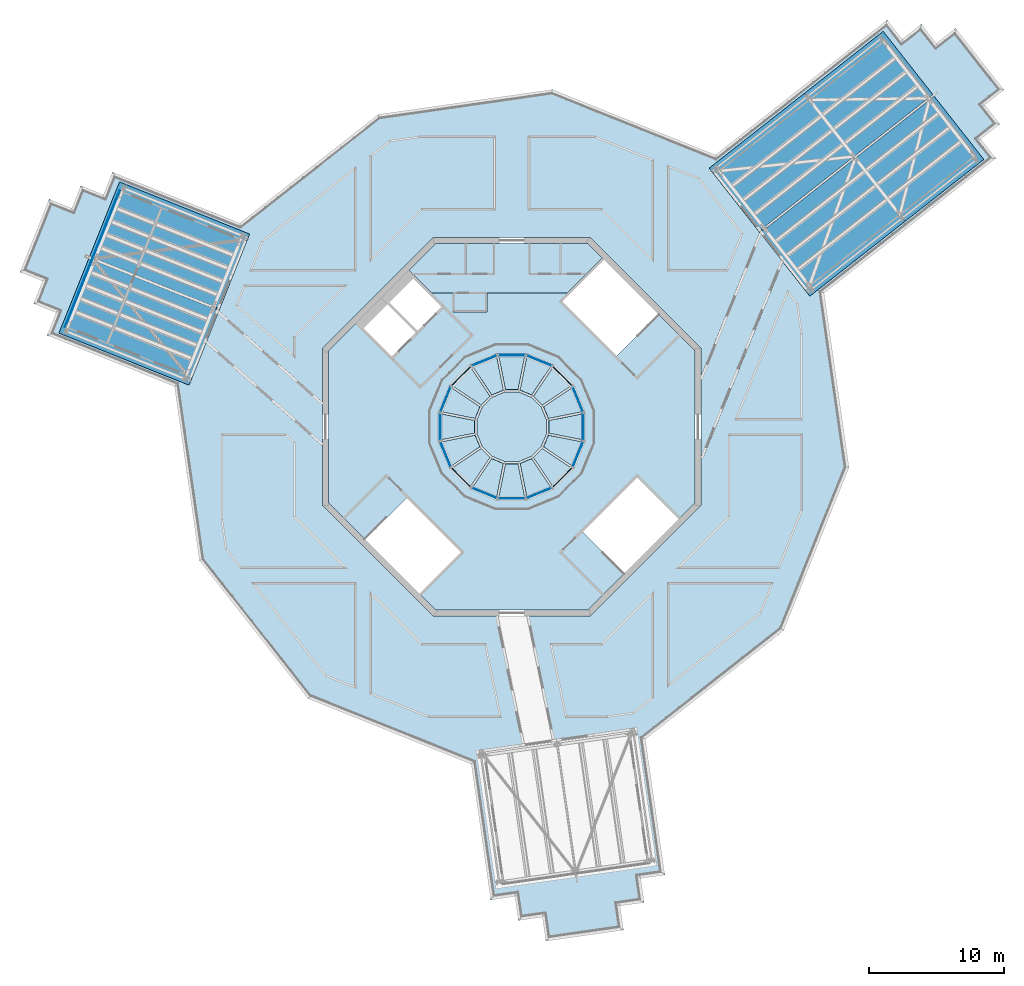
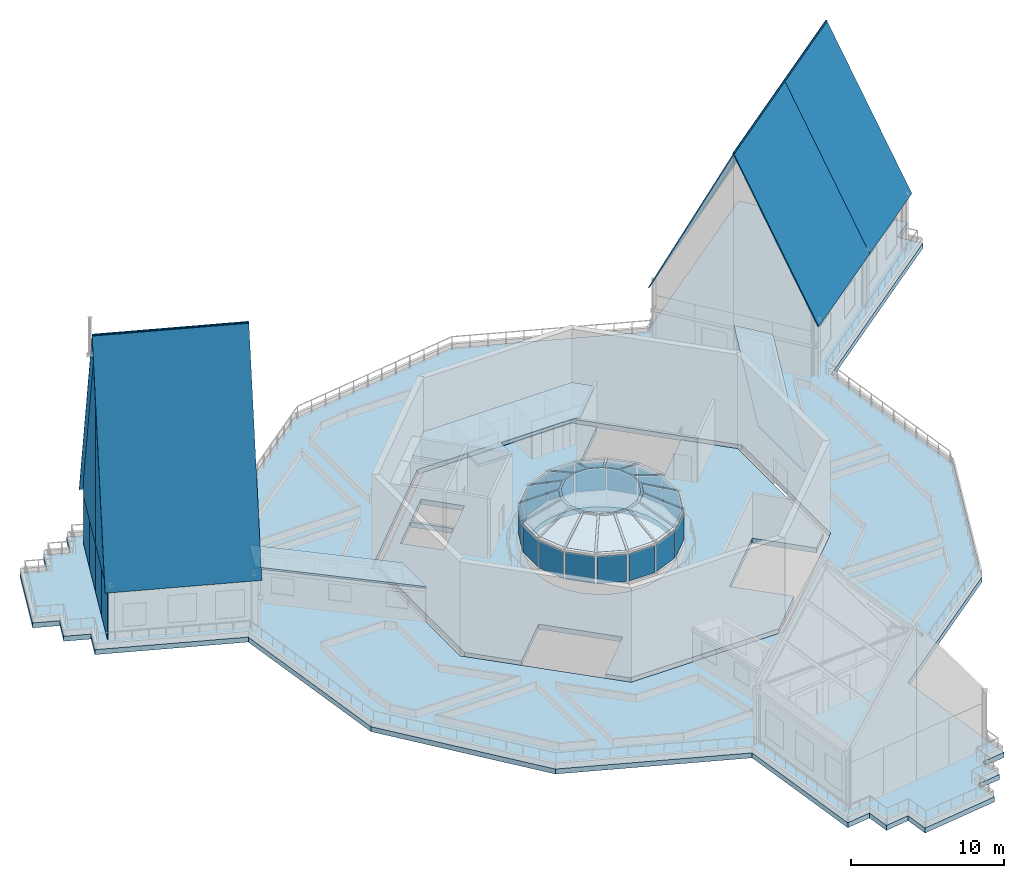
# One storey, part 11 of 32: 39 plates, 11 slabs, 16 elements without a shape of their own.
"""IFC4 building model written with IfcOpenShell, lengths in metres."""

from ifc_helpers import new_model, si_unit, direction, frame, frame_2d, origin, place, context, subcontext, project, spatial, polyline, rectangle, outline, extrude, material, layer, layer_set, type_object, element, aggregate, save


model = new_model("IFC4")

# Units and contexts
model_context = context("Model", 3, precision=1e-05, world=origin(), true_north=direction((0.0, 1.0)))
body_context = subcontext(model_context, "Body", "Model", "MODEL_VIEW")
ifc_project = project(units=[si_unit("LENGTHUNIT", "METRE"), si_unit("AREAUNIT", "SQUARE_METRE"), si_unit("VOLUMEUNIT", "CUBIC_METRE"), si_unit("PLANEANGLEUNIT", "RADIAN"), si_unit("MASSUNIT", "GRAM", prefix="KILO")], contexts=[model_context])

# Site, building, storey
site_placement = place(None, origin())
site = spatial("IfcSite", under=ifc_project, at=site_placement, CompositionType="ELEMENT")
building_placement = place(site_placement, origin())
building = spatial("IfcBuilding", under=site, at=building_placement, Name="Verdalira Terraces Hotel", CompositionType="ELEMENT")
storey_placement = place(building_placement, frame((0.0, 0.0, 315.0)))
storey = spatial("IfcBuildingStorey", under=building, at=storey_placement, Name="L78", CompositionType="ELEMENT", Elevation=315.0)

# Curtain wall, plate
ifc_material_1 = material(Name="Clear laminated glass", Category="glass")
ifc_layer_1 = layer(ifc_material_1, 0.14990234375)
ifc_layer_set_1 = layer_set([ifc_layer_1], Name="Atrium lantern curtain wall")
curtain_wall_type = type_object("IfcCurtainWallType", Name="Atrium lantern curtain wall", PredefinedType="NOTDEFINED", material=ifc_layer_set_1)
curtain_wall_1_placement = place(storey_placement, origin())
curtain_wall_1 = element("IfcCurtainWall", 1, at=curtain_wall_1_placement, inside=storey, type_object=curtain_wall_type, Name="Atrium lantern curtain wall facet 1", PredefinedType="NOTDEFINED")
ifc_material_2 = material(Name="Clear laminated glass", Category="glass")
ifc_layer_2 = layer(ifc_material_2, 0.06005859375)
ifc_layer_set_2 = layer_set([ifc_layer_2], Name="Atrium lantern glazing panel")
plate_type_1 = type_object("IfcPlateType", Name="Atrium lantern glazing panel", PredefinedType="CURTAIN_PANEL", material=ifc_layer_set_2)
plate_1_placement = place(storey_placement, frame((0.0, 0.0, 1.119385)))
plate_1 = element("IfcPlate", 2, at=plate_1_placement, type_object=plate_type_1, Name="Atrium lantern glazing", PredefinedType="CURTAIN_PANEL", context=body_context, shape_type="SweptSolid", body=[
    extrude(outline(polyline([(5.296631, 1.130859), (4.544922, 2.945801), (4.493896, 2.911865), (5.236816, 1.118896), (5.296631, 1.130859)])), origin(), (0.0, 0.0, 1.0), 2.181152),
])

curtain_wall_2_placement = place(storey_placement, origin())
curtain_wall_2 = element("IfcCurtainWall", 3, at=curtain_wall_2_placement, inside=storey, type_object=curtain_wall_type, Name="Atrium lantern curtain wall facet 2", PredefinedType="NOTDEFINED")
plate_2_placement = place(storey_placement, frame((0.0, 0.0, 1.119385)))
plate_2 = element("IfcPlate", 4, at=plate_2_placement, type_object=plate_type_1, Name="Atrium lantern glazing", PredefinedType="CURTAIN_PANEL", context=body_context, shape_type="SweptSolid", body=[
    extrude(outline(polyline([(4.460693, 3.071533), (3.071533, 4.460693), (3.037598, 4.409912), (4.409912, 3.037598), (4.460693, 3.071533)])), origin(), (0.0, 0.0, 1.0), 2.181152),
])

curtain_wall_3_placement = place(storey_placement, origin())
curtain_wall_3 = element("IfcCurtainWall", 5, at=curtain_wall_3_placement, inside=storey, type_object=curtain_wall_type, Name="Atrium lantern curtain wall facet 3", PredefinedType="NOTDEFINED")
plate_3_placement = place(storey_placement, frame((0.0, 0.0, 1.119385)))
plate_3 = element("IfcPlate", 6, at=plate_3_placement, type_object=plate_type_1, Name="Atrium lantern glazing", PredefinedType="CURTAIN_PANEL", context=body_context, shape_type="SweptSolid", body=[
    extrude(outline(polyline([(2.945801, 4.544922), (1.130859, 5.296631), (1.118896, 5.236816), (2.911865, 4.493896), (2.945801, 4.544922)])), origin(), (0.0, 0.0, 1.0), 2.181152),
])

curtain_wall_4_placement = place(storey_placement, origin())
curtain_wall_4 = element("IfcCurtainWall", 7, at=curtain_wall_4_placement, inside=storey, type_object=curtain_wall_type, Name="Atrium lantern curtain wall facet 4", PredefinedType="NOTDEFINED")
plate_4_placement = place(storey_placement, frame((0.0, 0.0, 1.119385)))
plate_4 = element("IfcPlate", 8, at=plate_4_placement, type_object=plate_type_1, Name="Atrium lantern glazing", PredefinedType="CURTAIN_PANEL", context=body_context, shape_type="SweptSolid", body=[
    extrude(outline(polyline([(0.982422, 5.326172), (-0.982422, 5.326172), (-0.970215, 5.266113), (0.970215, 5.266113), (0.982422, 5.326172)])), origin(), (0.0, 0.0, 1.0), 2.181152),
])

curtain_wall_5_placement = place(storey_placement, origin())
curtain_wall_5 = element("IfcCurtainWall", 9, at=curtain_wall_5_placement, inside=storey, type_object=curtain_wall_type, Name="Atrium lantern curtain wall facet 5", PredefinedType="NOTDEFINED")
plate_5_placement = place(storey_placement, frame((0.0, 0.0, 1.119385)))
plate_5 = element("IfcPlate", 10, at=plate_5_placement, type_object=plate_type_1, Name="Atrium lantern glazing", PredefinedType="CURTAIN_PANEL", context=body_context, shape_type="SweptSolid", body=[
    extrude(outline(polyline([(-1.130859, 5.296631), (-2.945801, 4.544922), (-2.911865, 4.493896), (-1.118896, 5.236816), (-1.130859, 5.296631)])), origin(), (0.0, 0.0, 1.0), 2.181152),
])

curtain_wall_6_placement = place(storey_placement, origin())
curtain_wall_6 = element("IfcCurtainWall", 11, at=curtain_wall_6_placement, inside=storey, type_object=curtain_wall_type, Name="Atrium lantern curtain wall facet 6", PredefinedType="NOTDEFINED")
plate_6_placement = place(storey_placement, frame((0.0, 0.0, 1.119385)))
plate_6 = element("IfcPlate", 12, at=plate_6_placement, type_object=plate_type_1, Name="Atrium lantern glazing", PredefinedType="CURTAIN_PANEL", context=body_context, shape_type="SweptSolid", body=[
    extrude(outline(polyline([(-3.071533, 4.460693), (-4.460693, 3.071533), (-4.409912, 3.037598), (-3.037598, 4.409912), (-3.071533, 4.460693)])), origin(), (0.0, 0.0, 1.0), 2.181152),
])

curtain_wall_7_placement = place(storey_placement, origin())
curtain_wall_7 = element("IfcCurtainWall", 13, at=curtain_wall_7_placement, inside=storey, type_object=curtain_wall_type, Name="Atrium lantern curtain wall facet 7", PredefinedType="NOTDEFINED")
plate_7_placement = place(storey_placement, frame((0.0, 0.0, 1.119385)))
plate_7 = element("IfcPlate", 14, at=plate_7_placement, type_object=plate_type_1, Name="Atrium lantern glazing", PredefinedType="CURTAIN_PANEL", context=body_context, shape_type="SweptSolid", body=[
    extrude(outline(polyline([(-4.544922, 2.945801), (-5.296631, 1.130859), (-5.236816, 1.118896), (-4.493896, 2.911865), (-4.544922, 2.945801)])), origin(), (0.0, 0.0, 1.0), 2.181152),
])

curtain_wall_8_placement = place(storey_placement, origin())
curtain_wall_8 = element("IfcCurtainWall", 15, at=curtain_wall_8_placement, inside=storey, type_object=curtain_wall_type, Name="Atrium lantern curtain wall facet 8", PredefinedType="NOTDEFINED")
plate_8_placement = place(storey_placement, frame((0.0, 0.0, 1.119385)))
plate_8 = element("IfcPlate", 16, at=plate_8_placement, type_object=plate_type_1, Name="Atrium lantern glazing", PredefinedType="CURTAIN_PANEL", context=body_context, shape_type="SweptSolid", body=[
    extrude(outline(polyline([(-5.326172, 0.982422), (-5.326172, -0.982422), (-5.266113, -0.970215), (-5.266113, 0.970215), (-5.326172, 0.982422)])), origin(), (0.0, 0.0, 1.0), 2.181152),
])

curtain_wall_9_placement = place(storey_placement, origin())
curtain_wall_9 = element("IfcCurtainWall", 17, at=curtain_wall_9_placement, inside=storey, type_object=curtain_wall_type, Name="Atrium lantern curtain wall facet 9", PredefinedType="NOTDEFINED")
plate_9_placement = place(storey_placement, frame((0.0, 0.0, 1.119385)))
plate_9 = element("IfcPlate", 18, at=plate_9_placement, type_object=plate_type_1, Name="Atrium lantern glazing", PredefinedType="CURTAIN_PANEL", context=body_context, shape_type="SweptSolid", body=[
    extrude(outline(polyline([(-5.296631, -1.130859), (-4.544922, -2.945801), (-4.493896, -2.911865), (-5.236816, -1.118896), (-5.296631, -1.130859)])), origin(), (0.0, 0.0, 1.0), 2.181152),
])

curtain_wall_10_placement = place(storey_placement, origin())
curtain_wall_10 = element("IfcCurtainWall", 19, at=curtain_wall_10_placement, inside=storey, type_object=curtain_wall_type, Name="Atrium lantern curtain wall facet 10", PredefinedType="NOTDEFINED")
plate_10_placement = place(storey_placement, frame((0.0, 0.0, 1.119385)))
plate_10 = element("IfcPlate", 20, at=plate_10_placement, type_object=plate_type_1, Name="Atrium lantern glazing", PredefinedType="CURTAIN_PANEL", context=body_context, shape_type="SweptSolid", body=[
    extrude(outline(polyline([(-4.460693, -3.071533), (-3.071533, -4.460693), (-3.037598, -4.409912), (-4.409912, -3.037598), (-4.460693, -3.071533)])), origin(), (0.0, 0.0, 1.0), 2.181152),
])

curtain_wall_11_placement = place(storey_placement, origin())
curtain_wall_11 = element("IfcCurtainWall", 21, at=curtain_wall_11_placement, inside=storey, type_object=curtain_wall_type, Name="Atrium lantern curtain wall facet 11", PredefinedType="NOTDEFINED")
plate_11_placement = place(storey_placement, frame((0.0, 0.0, 1.119385)))
plate_11 = element("IfcPlate", 22, at=plate_11_placement, type_object=plate_type_1, Name="Atrium lantern glazing", PredefinedType="CURTAIN_PANEL", context=body_context, shape_type="SweptSolid", body=[
    extrude(outline(polyline([(-2.945801, -4.544922), (-1.130859, -5.296631), (-1.118896, -5.236816), (-2.911865, -4.493896), (-2.945801, -4.544922)])), origin(), (0.0, 0.0, 1.0), 2.181152),
])

curtain_wall_12_placement = place(storey_placement, origin())
curtain_wall_12 = element("IfcCurtainWall", 23, at=curtain_wall_12_placement, inside=storey, type_object=curtain_wall_type, Name="Atrium lantern curtain wall facet 12", PredefinedType="NOTDEFINED")
plate_12_placement = place(storey_placement, frame((0.0, 0.0, 1.119385)))
plate_12 = element("IfcPlate", 24, at=plate_12_placement, type_object=plate_type_1, Name="Atrium lantern glazing", PredefinedType="CURTAIN_PANEL", context=body_context, shape_type="SweptSolid", body=[
    extrude(outline(polyline([(-0.982422, -5.326172), (0.982422, -5.326172), (0.970215, -5.266113), (-0.970215, -5.266113), (-0.982422, -5.326172)])), origin(), (0.0, 0.0, 1.0), 2.181152),
])

curtain_wall_13_placement = place(storey_placement, origin())
curtain_wall_13 = element("IfcCurtainWall", 25, at=curtain_wall_13_placement, inside=storey, type_object=curtain_wall_type, Name="Atrium lantern curtain wall facet 13", PredefinedType="NOTDEFINED")
plate_13_placement = place(storey_placement, frame((0.0, 0.0, 1.119385)))
plate_13 = element("IfcPlate", 26, at=plate_13_placement, type_object=plate_type_1, Name="Atrium lantern glazing", PredefinedType="CURTAIN_PANEL", context=body_context, shape_type="SweptSolid", body=[
    extrude(outline(polyline([(1.130859, -5.296631), (2.945801, -4.544922), (2.911865, -4.493896), (1.118896, -5.236816), (1.130859, -5.296631)])), origin(), (0.0, 0.0, 1.0), 2.181152),
])

curtain_wall_14_placement = place(storey_placement, origin())
curtain_wall_14 = element("IfcCurtainWall", 27, at=curtain_wall_14_placement, inside=storey, type_object=curtain_wall_type, Name="Atrium lantern curtain wall facet 14", PredefinedType="NOTDEFINED")
plate_14_placement = place(storey_placement, frame((0.0, 0.0, 1.119385)))
plate_14 = element("IfcPlate", 28, at=plate_14_placement, type_object=plate_type_1, Name="Atrium lantern glazing", PredefinedType="CURTAIN_PANEL", context=body_context, shape_type="SweptSolid", body=[
    extrude(outline(polyline([(3.071533, -4.460693), (4.460693, -3.071533), (4.409912, -3.037598), (3.037598, -4.409912), (3.071533, -4.460693)])), origin(), (0.0, 0.0, 1.0), 2.181152),
])

curtain_wall_15_placement = place(storey_placement, origin())
curtain_wall_15 = element("IfcCurtainWall", 29, at=curtain_wall_15_placement, inside=storey, type_object=curtain_wall_type, Name="Atrium lantern curtain wall facet 15", PredefinedType="NOTDEFINED")
plate_15_placement = place(storey_placement, frame((0.0, 0.0, 1.119385)))
plate_15 = element("IfcPlate", 30, at=plate_15_placement, type_object=plate_type_1, Name="Atrium lantern glazing", PredefinedType="CURTAIN_PANEL", context=body_context, shape_type="SweptSolid", body=[
    extrude(outline(polyline([(4.544922, -2.945801), (5.296631, -1.130859), (5.236816, -1.118896), (4.493896, -2.911865), (4.544922, -2.945801)])), origin(), (0.0, 0.0, 1.0), 2.181152),
])

curtain_wall_16_placement = place(storey_placement, origin())
curtain_wall_16 = element("IfcCurtainWall", 31, at=curtain_wall_16_placement, inside=storey, type_object=curtain_wall_type, Name="Atrium lantern curtain wall facet 16", PredefinedType="NOTDEFINED")
plate_16_placement = place(storey_placement, frame((0.0, 0.0, 1.119385)))
plate_16 = element("IfcPlate", 32, at=plate_16_placement, type_object=plate_type_1, Name="Atrium lantern glazing", PredefinedType="CURTAIN_PANEL", context=body_context, shape_type="SweptSolid", body=[
    extrude(outline(polyline([(5.326172, -0.982422), (5.326172, 0.982422), (5.266113, 0.970215), (5.266113, -0.970215), (5.326172, -0.982422)])), origin(), (0.0, 0.0, 1.0), 2.181152),
])

# Plate
ifc_material_3 = material(Name="Clear laminated glass", Category="glass")
ifc_layer_3 = layer(ifc_material_3, 0.0400390625)
ifc_layer_set_3 = layer_set([ifc_layer_3], Name="Atrium lantern roof glazing panel")
plate_type_2 = type_object("IfcPlateType", Name="Atrium lantern roof glazing panel", PredefinedType="CURTAIN_PANEL", material=ifc_layer_set_3)
plate_17_placement = place(storey_placement, frame((5.222168, 1.119141, 3.589844), z_axis=(0.385088827, 0.159539851, 0.908984945), x_axis=(-0.38275289, 0.923850759, 3.134e-06)))
plate_17 = element("IfcPlate", 33, at=plate_17_placement, type_object=plate_type_2, Name="Atrium lantern roof glazing", PredefinedType="CURTAIN_PANEL", context=body_context, shape_type="SweptSolid", body=[
    extrude(outline(polyline([(0.0, 0.0), (1.928865, 0.0), (1.429359, 2.763952), (0.499952, 2.763973), (0.0, 0.0)])), origin(), (0.0, 0.0, -1.0), 0.040039),
])

plate_18_placement = place(storey_placement, frame((4.39624, 3.032471, 3.589844), z_axis=(0.294748892, 0.294748892, 0.908980848), x_axis=(-0.707106781, 0.707106781, 0.0)))
plate_18 = element("IfcPlate", 34, at=plate_18_placement, type_object=plate_type_2, Name="Atrium lantern roof glazing", PredefinedType="CURTAIN_PANEL", context=body_context, shape_type="SweptSolid", body=[
    extrude(outline(polyline([(0.0, 0.0), (1.928661, 0.0), (1.428887, 2.763903), (0.499774, 2.763903), (0.0, 0.0)])), origin(), (0.0, 0.0, -1.0), 0.040039),
])

aggregate(curtain_wall_2, [plate_2, plate_18])

plate_19_placement = place(storey_placement, frame((2.901123, 4.483887, 3.589844), z_axis=(0.159539851, 0.385088827, 0.908984945), x_axis=(-0.923850759, 0.38275289, -3.134e-06)))
plate_19 = element("IfcPlate", 35, at=plate_19_placement, type_object=plate_type_2, Name="Atrium lantern roof glazing", PredefinedType="CURTAIN_PANEL", context=body_context, shape_type="SweptSolid", body=[
    extrude(outline(polyline([(0.0, 0.0), (1.928865, 0.0), (1.428913, 2.763973), (0.499506, 2.763952), (0.0, 0.0)])), origin(), (0.0, 0.0, -1.0), 0.040039),
])

aggregate(curtain_wall_3, [plate_3, plate_19])

plate_20_placement = place(storey_placement, frame((0.964355, 5.25293, 3.589844), z_axis=(0.0, 0.416821983, 0.908988138), x_axis=(-1.0, 0.0, 0.0)))
plate_20 = element("IfcPlate", 36, at=plate_20_placement, type_object=plate_type_2, Name="Atrium lantern roof glazing", PredefinedType="CURTAIN_PANEL", context=body_context, shape_type="SweptSolid", body=[
    extrude(outline(polyline([(0.0, 0.0), (1.928711, 0.0), (1.428955, 2.764009), (0.499756, 2.764009), (0.0, 0.0)])), origin(), (0.0, 0.0, -1.0), 0.040039),
])

aggregate(curtain_wall_4, [plate_4, plate_20])

plate_21_placement = place(storey_placement, frame((-1.119141, 5.222168, 3.589844), z_axis=(-0.159539851, 0.385088827, 0.908984945), x_axis=(-0.923850759, -0.38275289, 3.134e-06)))
plate_21 = element("IfcPlate", 37, at=plate_21_placement, type_object=plate_type_2, Name="Atrium lantern roof glazing", PredefinedType="CURTAIN_PANEL", context=body_context, shape_type="SweptSolid", body=[
    extrude(outline(polyline([(0.0, 0.0), (1.928865, 0.0), (1.429359, 2.763952), (0.499952, 2.763973), (0.0, 0.0)])), origin(), (0.0, 0.0, -1.0), 0.040039),
])

aggregate(curtain_wall_5, [plate_5, plate_21])

plate_22_placement = place(storey_placement, frame((-3.032471, 4.39624, 3.589844), z_axis=(-0.294748892, 0.294748892, 0.908980848), x_axis=(-0.707106781, -0.707106781, 0.0)))
plate_22 = element("IfcPlate", 38, at=plate_22_placement, type_object=plate_type_2, Name="Atrium lantern roof glazing", PredefinedType="CURTAIN_PANEL", context=body_context, shape_type="SweptSolid", body=[
    extrude(outline(polyline([(0.0, 0.0), (1.928661, 0.0), (1.428887, 2.763903), (0.499774, 2.763903), (0.0, 0.0)])), origin(), (0.0, 0.0, -1.0), 0.040039),
])

aggregate(curtain_wall_6, [plate_6, plate_22])

plate_23_placement = place(storey_placement, frame((-4.483887, 2.901123, 3.589844), z_axis=(-0.385088827, 0.159539851, 0.908984945), x_axis=(-0.38275289, -0.923850759, -3.134e-06)))
plate_23 = element("IfcPlate", 39, at=plate_23_placement, type_object=plate_type_2, Name="Atrium lantern roof glazing", PredefinedType="CURTAIN_PANEL", context=body_context, shape_type="SweptSolid", body=[
    extrude(outline(polyline([(0.0, 0.0), (1.928865, 0.0), (1.428913, 2.763973), (0.499506, 2.763952), (0.0, 0.0)])), origin(), (0.0, 0.0, -1.0), 0.040039),
])

aggregate(curtain_wall_7, [plate_7, plate_23])

plate_24_placement = place(storey_placement, frame((-5.25293, 0.964355, 3.589844), z_axis=(-0.416821983, 0.0, 0.908988138), x_axis=(0.0, -1.0, 0.0)))
plate_24 = element("IfcPlate", 40, at=plate_24_placement, type_object=plate_type_2, Name="Atrium lantern roof glazing", PredefinedType="CURTAIN_PANEL", context=body_context, shape_type="SweptSolid", body=[
    extrude(outline(polyline([(0.0, 0.0), (1.928711, 0.0), (1.428955, 2.764009), (0.499756, 2.764009), (0.0, 0.0)])), origin(), (0.0, 0.0, -1.0), 0.040039),
])

aggregate(curtain_wall_8, [plate_8, plate_24])

plate_25_placement = place(storey_placement, frame((-5.222168, -1.119141, 3.589844), z_axis=(-0.385088827, -0.159539851, 0.908984945), x_axis=(0.38275289, -0.923850759, 3.134e-06)))
plate_25 = element("IfcPlate", 41, at=plate_25_placement, type_object=plate_type_2, Name="Atrium lantern roof glazing", PredefinedType="CURTAIN_PANEL", context=body_context, shape_type="SweptSolid", body=[
    extrude(outline(polyline([(0.0, 0.0), (1.928865, 0.0), (1.429359, 2.763952), (0.499952, 2.763973), (0.0, 0.0)])), origin(), (0.0, 0.0, -1.0), 0.040039),
])

aggregate(curtain_wall_9, [plate_9, plate_25])

plate_26_placement = place(storey_placement, frame((-4.39624, -3.032471, 3.589844), z_axis=(-0.294748892, -0.294748892, 0.908980848), x_axis=(0.707106781, -0.707106781, 0.0)))
plate_26 = element("IfcPlate", 42, at=plate_26_placement, type_object=plate_type_2, Name="Atrium lantern roof glazing", PredefinedType="CURTAIN_PANEL", context=body_context, shape_type="SweptSolid", body=[
    extrude(outline(polyline([(0.0, 0.0), (1.928661, 0.0), (1.428887, 2.763903), (0.499774, 2.763903), (0.0, 0.0)])), origin(), (0.0, 0.0, -1.0), 0.040039),
])

aggregate(curtain_wall_10, [plate_10, plate_26])

plate_27_placement = place(storey_placement, frame((-2.901123, -4.483887, 3.589844), z_axis=(-0.159539851, -0.385088827, 0.908984945), x_axis=(0.923850759, -0.38275289, -3.134e-06)))
plate_27 = element("IfcPlate", 43, at=plate_27_placement, type_object=plate_type_2, Name="Atrium lantern roof glazing", PredefinedType="CURTAIN_PANEL", context=body_context, shape_type="SweptSolid", body=[
    extrude(outline(polyline([(0.0, 0.0), (1.928865, 0.0), (1.428913, 2.763973), (0.499506, 2.763952), (0.0, 0.0)])), origin(), (0.0, 0.0, -1.0), 0.040039),
])

aggregate(curtain_wall_11, [plate_11, plate_27])

plate_28_placement = place(storey_placement, frame((-0.964355, -5.25293, 3.589844), z_axis=(0.0, -0.416821983, 0.908988138), x_axis=(1.0, 0.0, 0.0)))
plate_28 = element("IfcPlate", 44, at=plate_28_placement, type_object=plate_type_2, Name="Atrium lantern roof glazing", PredefinedType="CURTAIN_PANEL", context=body_context, shape_type="SweptSolid", body=[
    extrude(outline(polyline([(0.0, 0.0), (1.928711, 0.0), (1.428955, 2.764009), (0.499756, 2.764009), (0.0, 0.0)])), origin(), (0.0, 0.0, -1.0), 0.040039),
])

aggregate(curtain_wall_12, [plate_12, plate_28])

plate_29_placement = place(storey_placement, frame((1.119141, -5.222168, 3.589844), z_axis=(0.159539851, -0.385088827, 0.908984945), x_axis=(0.923850759, 0.38275289, 3.134e-06)))
plate_29 = element("IfcPlate", 45, at=plate_29_placement, type_object=plate_type_2, Name="Atrium lantern roof glazing", PredefinedType="CURTAIN_PANEL", context=body_context, shape_type="SweptSolid", body=[
    extrude(outline(polyline([(0.0, 0.0), (1.928865, 0.0), (1.429359, 2.763952), (0.499952, 2.763973), (0.0, 0.0)])), origin(), (0.0, 0.0, -1.0), 0.040039),
])

aggregate(curtain_wall_13, [plate_13, plate_29])

plate_30_placement = place(storey_placement, frame((3.032471, -4.39624, 3.589844), z_axis=(0.294748892, -0.294748892, 0.908980848), x_axis=(0.707106781, 0.707106781, 0.0)))
plate_30 = element("IfcPlate", 46, at=plate_30_placement, type_object=plate_type_2, Name="Atrium lantern roof glazing", PredefinedType="CURTAIN_PANEL", context=body_context, shape_type="SweptSolid", body=[
    extrude(outline(polyline([(0.0, 0.0), (1.928661, 0.0), (1.428887, 2.763903), (0.499774, 2.763903), (0.0, 0.0)])), origin(), (0.0, 0.0, -1.0), 0.040039),
])

aggregate(curtain_wall_14, [plate_14, plate_30])

plate_31_placement = place(storey_placement, frame((4.483887, -2.901123, 3.589844), z_axis=(0.385088827, -0.159539851, 0.908984945), x_axis=(0.38275289, 0.923850759, -3.134e-06)))
plate_31 = element("IfcPlate", 47, at=plate_31_placement, type_object=plate_type_2, Name="Atrium lantern roof glazing", PredefinedType="CURTAIN_PANEL", context=body_context, shape_type="SweptSolid", body=[
    extrude(outline(polyline([(0.0, 0.0), (1.928865, 0.0), (1.428913, 2.763973), (0.499506, 2.763952), (0.0, 0.0)])), origin(), (0.0, 0.0, -1.0), 0.040039),
])

aggregate(curtain_wall_15, [plate_15, plate_31])

plate_32_placement = place(storey_placement, frame((5.25293, -0.964355, 3.589844), z_axis=(0.416821983, 0.0, 0.908988138), x_axis=(0.0, 1.0, 0.0)))
plate_32 = element("IfcPlate", 48, at=plate_32_placement, type_object=plate_type_2, Name="Atrium lantern roof glazing", PredefinedType="CURTAIN_PANEL", context=body_context, shape_type="SweptSolid", body=[
    extrude(outline(polyline([(0.0, 0.0), (1.928711, 0.0), (1.428955, 2.764009), (0.499756, 2.764009), (0.0, 0.0)])), origin(), (0.0, 0.0, -1.0), 0.040039),
])

aggregate(curtain_wall_16, [plate_16, plate_32])

# Plates
ifc_material_4 = material(Name="Bronze-finished insulated panel, ASTM A653 Grade 50 steel skins", Category="steel")
ifc_layer_4 = layer(ifc_material_4, 0.06005859375)
ifc_layer_set_4 = layer_set([ifc_layer_4], Name="Bronze gable end panel 60 mm")
plate_type_3 = type_object("IfcPlateType", Name="Bronze gable end panel 60 mm", PredefinedType="SHEET", material=ifc_layer_set_4)
plate_33_placement = place(storey_placement, frame((-28.965332, 17.490967, 0.0), z_axis=(0.0, 0.0, 1.0), x_axis=(-0.372007317, -0.928229797, 0.0)))
element("IfcPlate", 49, at=plate_33_placement, inside=storey, type_object=plate_type_3, Name="Bronze gable end panel G1N1", PredefinedType="SHEET", context=body_context, shape_type="SweptSolid", body=[
    extrude(rectangle(XDim=2.730225, YDim=0.060059, at=frame_2d((1.365234, 0.0))), origin(), (0.0, 0.0, 1.0), 3.800049),
])
for number, where, z_axis, x_axis, name in (
    (50, (-29.980957, 14.956787, 0.0), (0.0, 0.0, 1.0), (-0.372038199, -0.92821742, 0.0), "Bronze gable end panel G1N2"),
    (51, (-30.996582, 12.422852, 0.0), (0.0, 0.0, 1.0), (-0.372038199, -0.92821742, 0.0), "Bronze gable end panel G1N3"),
):
    element("IfcPlate", number, at=place(storey_placement, frame(where, z_axis=z_axis, x_axis=x_axis)), inside=storey, type_object=plate_type_3, Name=name, PredefinedType="SHEET", context=body_context, shape_type="SweptSolid", body=[
        extrude(rectangle(XDim=2.72998, YDim=0.060059, at=frame_2d((1.36499, 0.0))), origin(), (0.0, 0.0, 1.0), 3.800049),
    ])
plate_34_placement = place(storey_placement, frame((-32.012207, 9.888916, 0.0), z_axis=(0.0, 0.0, 1.0), x_axis=(-0.372007317, -0.928229797, 0.0)))
element("IfcPlate", 52, at=plate_34_placement, inside=storey, type_object=plate_type_3, Name="Bronze gable end panel G1N4", PredefinedType="SHEET", context=body_context, shape_type="SweptSolid", body=[
    extrude(rectangle(XDim=2.730225, YDim=0.060059, at=frame_2d((1.365234, 0.0))), origin(), (0.0, 0.0, 1.0), 3.800049),
])
ifc_material_5 = material(Name="Bronze-finished insulated panel, ASTM A653 Grade 50 steel skins", Category="steel")
ifc_layer_5 = layer(ifc_material_5, 0.06005859375)
ifc_layer_set_5 = layer_set([ifc_layer_5], Name="Bronze gable end panel G1 upper course 60 mm")
plate_type_4 = type_object("IfcPlateType", Name="Bronze gable end panel G1 upper course 60 mm", PredefinedType="SHEET", material=ifc_layer_set_5)
for number, where, z_axis, x_axis, name in (
    (53, (-28.965332, 17.490967, 3.800049), (0.0, 0.0, 1.0), (-0.372022758, -0.928223609, 0.0), "Bronze gable end panel G1N upper 1"),
    (54, (-33.027832, 7.354736, 3.800049), (0.0, 0.0, 1.0), (0.372022758, 0.928223609, 0.0), "Bronze gable end panel G1N upper 2"),
):
    element("IfcPlate", number, at=place(storey_placement, frame(where, z_axis=z_axis, x_axis=x_axis)), inside=storey, type_object=plate_type_4, Name=name, PredefinedType="SHEET", context=body_context, shape_type="SweptSolid", body=[
        extrude(outline(polyline([(0.0, 0.0), (5.459961, 0.0), (5.459961, 16.583984), (0.0, 1.602539), (0.0, 0.0)])), frame((0.0, 0.030029, 0.0), z_axis=(0.0, -1.0, 0.0), x_axis=(1.0, 0.0, 0.0)), (0.0, 0.0, 1.0), 0.060059),
    ])

# Slabs
ifc_material_6 = material(Name="Bronze-finished insulated panel, ASTM A653 Grade 50 steel skins", Category="steel")
ifc_layer_6 = layer(ifc_material_6, 0.080078125)
ifc_layer_set_6 = layer_set([ifc_layer_6], Name="Bronze roof panel 80 mm")
slab_type_1 = type_object("IfcSlabType", Name="Bronze roof panel 80 mm", PredefinedType="ROOF", material=ifc_layer_set_6)
slab_1_placement = place(storey_placement, frame((-23.857178, 3.075928, 4.099854), z_axis=(-0.349524067, -0.872110978, 0.342425712), x_axis=(-0.928226553, 0.372015412, 3.518e-06)))
element("IfcSlab", 55, at=slab_1_placement, inside=storey, type_object=slab_type_1, Name="Bronze roof panel G1-1a", PredefinedType="ROOF", context=body_context, shape_type="SweptSolid", body=[
    extrude(outline(polyline([(0.0, 0.0), (10.360859, 0.0), (10.360934, -17.580624), (0.000165, -17.580702), (0.0, 0.0)])), origin(), (0.0, 0.0, -1.0), 0.080078),
])
slab_2_placement = place(storey_placement, frame((-19.378174, 14.251953, 4.099854), z_axis=(0.349515301, 0.872116725, 0.342420023), x_axis=(-0.928231098, 0.372004071, 0.0)))
element("IfcSlab", 56, at=slab_2_placement, inside=storey, type_object=slab_type_1, Name="Bronze roof panel G1-1b", PredefinedType="ROOF", context=body_context, shape_type="SweptSolid", body=[
    extrude(outline(polyline([(0.0, 0.0), (10.360768, 0.0), (10.360826, 17.580624), (5.7e-05, 17.580624), (0.0, 0.0)])), origin(), (0.0, 0.0, -1.0), 0.080078),
])
slab_3_placement = place(storey_placement, frame((14.592529, 19.122803, 4.311523), z_axis=(-0.554938522, 0.70620746, 0.439675176), x_axis=(0.786285218, 0.617863704, 0.0)))
element("IfcSlab", 57, at=slab_3_placement, inside=storey, type_object=slab_type_1, Name="Bronze roof panel G3-1a", PredefinedType="ROOF", context=body_context, shape_type="SweptSolid", body=[
    extrude(outline(polyline([(0.0, 0.0), (8.952612, 0.0), (8.952591, -13.691777), (-2.1e-05, -13.691777), (0.0, 0.0)])), origin(), (0.0, 0.0, -1.0), 0.080078),
])
slab_4_placement = place(storey_placement, frame((22.031494, 9.656006, 4.311523), z_axis=(0.554938522, -0.70620746, 0.439675176), x_axis=(0.786285218, 0.617863704, 0.0)))
element("IfcSlab", 58, at=slab_4_placement, inside=storey, type_object=slab_type_1, Name="Bronze roof panel G3-1b", PredefinedType="ROOF", context=body_context, shape_type="SweptSolid", body=[
    extrude(outline(polyline([(0.0, 0.0), (8.952612, 0.0), (8.952633, 13.691777), (2.1e-05, 13.691777), (0.0, 0.0)])), origin(), (0.0, 0.0, -1.0), 0.080078),
])
slab_5_placement = place(storey_placement, frame((21.631836, 24.654297, 4.311523), z_axis=(-0.554938168, 0.706204217, 0.439680831), x_axis=(0.786282483, 0.617867184, -5.116e-06)))
element("IfcSlab", 59, at=slab_5_placement, inside=storey, type_object=slab_type_1, Name="Bronze roof panel G3-2a", PredefinedType="ROOF", context=body_context, shape_type="SweptSolid", body=[
    extrude(outline(polyline([(0.0, 0.0), (7.408278, 0.0), (7.408016, -13.691861), (-0.000111, -13.691777), (0.0, 0.0)])), origin(), (0.0, 0.0, -1.0), 0.080078),
])
slab_6_placement = place(storey_placement, frame((29.070801, 15.1875, 4.311523), z_axis=(0.554922195, -0.706217523, 0.43967962), x_axis=(0.786299542, 0.617845474, -4.02e-06)))
element("IfcSlab", 60, at=slab_6_placement, inside=storey, type_object=slab_type_1, Name="Bronze roof panel G3-2b", PredefinedType="ROOF", context=body_context, shape_type="SweptSolid", body=[
    extrude(outline(polyline([(0.0, 0.0), (7.408319, 0.0), (7.407959, 13.691843), (-0.000168, 13.691777), (0.0, 0.0)])), origin(), (0.0, 0.0, -1.0), 0.080078),
])
ifc_material_7 = material(Name="Concrete C40", Category="concrete")
ifc_layer_7 = layer(ifc_material_7, 0.39990234375)
ifc_layer_set_7 = layer_set([ifc_layer_7], Name="Core roof slab 400 mm")
slab_type_2 = type_object("IfcSlabType", Name="Core roof slab 400 mm", PredefinedType="ROOF", material=ifc_layer_set_7)
slab_7_placement = place(storey_placement, frame((0.0, 0.0, -0.399902)))
element("IfcSlab", 61, at=slab_7_placement, inside=storey, type_object=slab_type_2, Name="L78 core floor", PredefinedType="ROOF", context=body_context, shape_type="SweptSolid", body=[
    extrude(outline(polyline([(-5.612549, 13.550049), (5.612549, 13.550049), (6.809326, 12.353271), (3.719482, 9.263184), (7.746094, 5.236572), (10.836182, 8.326416), (13.550049, 5.612549), (13.550049, -5.612549), (12.353271, -6.809326), (9.263184, -3.719482), (5.236572, -7.746094), (8.326416, -10.836182), (5.612549, -13.550049), (-5.612549, -13.550049), (-6.809326, -12.353271), (-3.719482, -9.263184), (-7.746094, -5.236572), (-10.836182, -8.326416), (-13.550049, -5.612549), (-13.550049, 5.612549), (-5.612549, 13.550049)]), holes=[polyline([(-9.051025, 9.192383), (-6.965088, 7.106445), (-5.197266, 8.874268), (-7.283203, 10.960205), (-9.051025, 9.192383)]), polyline([(-9.192383, 9.051025), (-10.960205, 7.283203), (-8.874268, 5.197266), (-7.106445, 6.965088), (-9.192383, 9.051025)]), polyline([(3.5354, 3.5354), (2.777832, 4.157227), (1.91333, 4.619385), (0.975586, 4.903809), (0.0, 5.0), (-0.975586, 4.903809), (-1.91333, 4.619385), (-2.777832, 4.157227), (-3.5354, 3.5354), (-4.157227, 2.777832), (-4.619385, 1.91333), (-4.903809, 0.975586), (-5.0, 0.0), (-4.903809, -0.975586), (-4.619385, -1.91333), (-4.157227, -2.777832), (-3.5354, -3.5354), (-2.777832, -4.157227), (-1.91333, -4.619385), (-0.975586, -4.903809), (0.0, -5.0), (0.975586, -4.903809), (1.91333, -4.619385), (2.777832, -4.157227), (3.5354, -3.5354), (4.157227, -2.777832), (4.619385, -1.91333), (4.903809, -0.975586), (5.0, 0.0), (4.903809, 0.975586), (4.619385, 1.91333), (4.157227, 2.777832), (3.5354, 3.5354)])]), origin(), (0.0, 0.0, 1.0), 0.399902),
])

# Plate
ifc_material_8 = material(Name="Bronze-finished insulated panel, ASTM A653 Grade 50 steel skins", Category="steel")
ifc_layer_8 = layer(ifc_material_8, 0.06005859375)
ifc_layer_set_8 = layer_set([ifc_layer_8], Name="Crown cap panel 60 mm")
plate_type_5 = type_object("IfcPlateType", Name="Crown cap panel 60 mm", PredefinedType="SHEET", material=ifc_layer_set_8)
plate_35_placement = place(storey_placement, frame((0.0, 0.0, 4.742188)))
plate_35 = element("IfcPlate", 62, at=plate_35_placement, type_object=plate_type_5, Name="Crown cap panel", PredefinedType="SHEET", context=body_context, shape_type="SweptSolid", body=[
    extrude(outline(polyline([(2.57251, 0.511719), (2.180908, 1.457275), (1.457275, 2.180908), (0.511719, 2.57251), (-0.511719, 2.57251), (-1.457275, 2.180908), (-2.180908, 1.457275), (-2.57251, 0.511719), (-2.57251, -0.511719), (-2.180908, -1.457275), (-1.457275, -2.180908), (-0.511719, -2.57251), (0.511719, -2.57251), (1.457275, -2.180908), (2.180908, -1.457275), (2.57251, -0.511719), (2.57251, 0.511719)])), origin(), (0.0, 0.0, 1.0), 0.060059),
])

aggregate(curtain_wall_1, [plate_1, plate_17, plate_35])

# Slabs
ifc_material_9 = material(Name="Concrete C40", Category="concrete")
ifc_layer_9 = layer(ifc_material_9, 0.39990234375)
ifc_layer_set_9 = layer_set([ifc_layer_9], Name="Crown garden slab 400 C40")
slab_type_3 = type_object("IfcSlabType", Name="Crown garden slab 400 C40", PredefinedType="FLOOR", material=ifc_layer_set_9)
slab_8_placement = place(storey_placement, frame((0.0, 0.0, -0.399902)))
element("IfcSlab", 63, at=slab_8_placement, inside=storey, type_object=slab_type_3, Name="Crown garden slab L78", PredefinedType="FLOOR", context=body_context, shape_type="SweptSolid", body=[
    extrude(outline(polyline([(-9.877441, 23.090088), (-20.099121, 15.058105), (-29.512939, 18.830811), (-30.182617, 17.159912), (-31.853271, 17.82959), (-32.522949, 16.158691), (-34.193848, 16.828613), (-36.351318, 11.44458), (-34.680664, 10.775146), (-35.350342, 9.104248), (-33.679443, 8.434814), (-34.349121, 6.763916), (-24.935303, 2.990967), (-23.090088, -9.877441), (-15.058105, -20.099121), (-2.990967, -24.935303), (-1.551514, -34.974365), (0.230225, -34.71875), (0.485596, -36.500488), (2.267578, -36.245117), (2.522949, -38.026855), (8.264404, -37.203613), (8.008789, -35.421875), (9.790527, -35.166504), (9.535156, -33.384521), (11.316895, -33.12915), (9.877441, -23.090088), (20.099121, -15.058105), (24.935303, -2.990967), (23.090088, 9.877441), (35.781982, 19.850586), (34.669922, 21.266113), (36.085205, 22.378174), (34.973145, 23.793457), (36.388428, 24.905518), (32.804932, 29.466064), (31.389648, 28.354004), (30.277344, 29.769287), (28.862061, 28.656982), (27.75, 30.07251), (15.058105, 20.099121), (2.990967, 24.935303), (-9.877441, 23.090088)]), holes=[polyline([(5.799072, 14.0), (14.0, 5.799072), (14.0, -5.799072), (5.799072, -14.0), (-5.799072, -14.0), (-14.0, -5.799072), (-14.0, 5.799072), (-5.799072, 14.0), (5.799072, 14.0)])]), origin(), (0.0, 0.0, 1.0), 0.399902),
])
ifc_material_10 = material(Name="Concrete C40", Category="concrete")
ifc_layer_10 = layer(ifc_material_10, 0.25)
ifc_layer_set_10 = layer_set([ifc_layer_10], Name="Crown service block roof slab 250 mm")
slab_type_4 = type_object("IfcSlabType", Name="Crown service block roof slab 250 mm", PredefinedType="ROOF", material=ifc_layer_set_10)
slab_9_placement = place(storey_placement, frame((0.0, 0.0, 3.0)))
element("IfcSlab", 64, at=slab_9_placement, inside=storey, type_object=slab_type_4, Name="Crown service block roof", PredefinedType="ROOF", context=body_context, shape_type="SweptSolid", body=[
    extrude(outline(polyline([(-4.360107, 8.48999), (-4.360107, 9.889893), (-5.930176, 9.889893), (-7.601318, 11.561279), (-5.612549, 13.550049), (5.612549, 13.550049), (6.682129, 12.480469), (4.091797, 9.889893), (-1.840088, 9.889893), (-1.840088, 8.48999), (-4.360107, 8.48999)])), origin(), (0.0, 0.0, 1.0), 0.25),
])
ifc_material_11 = material(Name="Concrete C40", Category="concrete")
ifc_layer_11 = layer(ifc_material_11, 0.14990234375)
ifc_layer_set_11 = layer_set([ifc_layer_11], Name="Garden link roof slab 150 mm")
slab_type_5 = type_object("IfcSlabType", Name="Garden link roof slab 150 mm", PredefinedType="ROOF", material=ifc_layer_set_11)
slab_10_placement = place(storey_placement, frame((0.0, 0.0, 2.709961)))
element("IfcSlab", 65, at=slab_10_placement, inside=storey, type_object=slab_type_5, Name="Garden link roof slab", PredefinedType="ROOF", context=body_context, shape_type="SweptSolid", body=[
    extrude(outline(polyline([(-14.0, -1.4021), (-22.608643, 6.196289), (-21.660889, 8.560791), (-14.0, 1.799072), (-14.0, -1.4021)])), origin(), (0.0, 0.0, 1.0), 0.150146),
])
slab_11_placement = place(storey_placement, frame((0.0, 0.0, 2.709961)))
element("IfcSlab", 66, at=slab_11_placement, inside=storey, type_object=slab_type_5, Name="Garden link roof slab", PredefinedType="ROOF", context=body_context, shape_type="SweptSolid", body=[
    extrude(outline(polyline([(14.0, -2.251465), (14.0, 3.731689), (18.338379, 14.377197), (20.045166, 12.205566), (14.131348, -2.304932), (14.0, -2.251465)])), origin(), (0.0, 0.0, 1.0), 0.150146),
])

save(model, "model.ifc")
